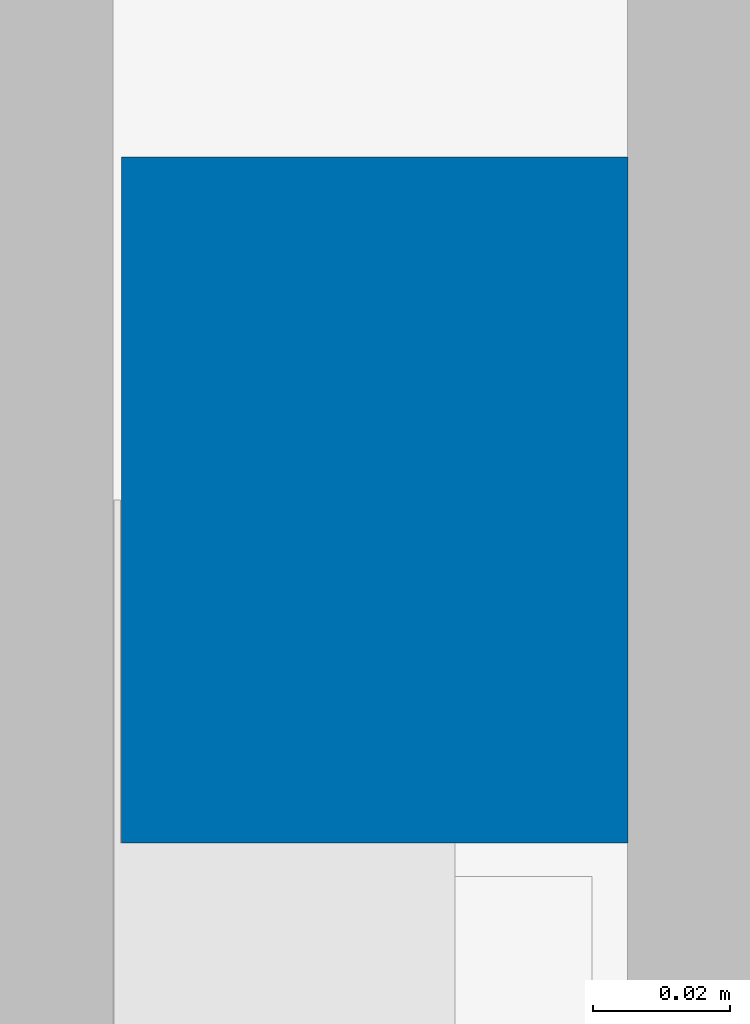
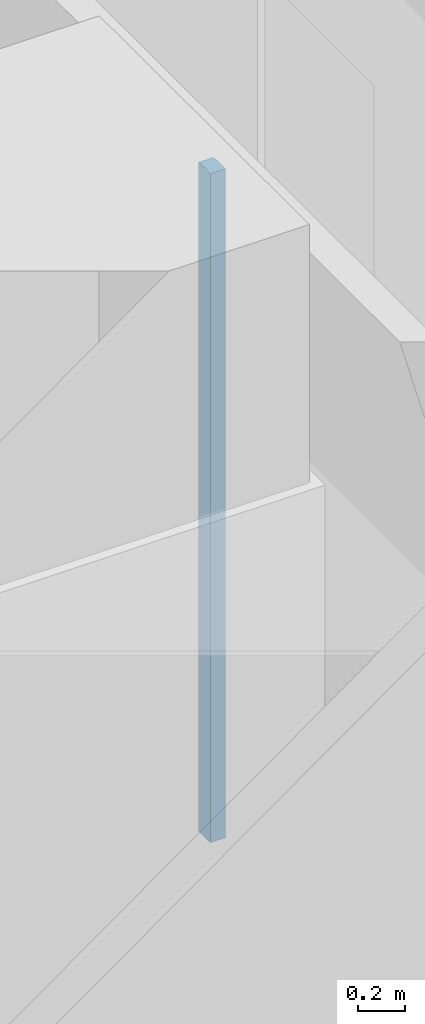
# One storey, part 5 of 18: 1 wall.
"""IFC4 building model written with IfcOpenShell, lengths in metres."""

from ifc_helpers import new_model, si_unit, direction, frame, frame_2d, origin, place, context, subcontext, project, spatial, rectangle, extrude, material, layer, layer_set, type_object, element, save


model = new_model("IFC4")

# Units and contexts
model_context = context("Model", 3, precision=1e-05, world=origin(), true_north=direction((0.0, 1.0)))
body_context = subcontext(model_context, "Body", "Model", "MODEL_VIEW")
ifc_project = project(units=[si_unit("LENGTHUNIT", "METRE"), si_unit("AREAUNIT", "SQUARE_METRE"), si_unit("VOLUMEUNIT", "CUBIC_METRE"), si_unit("PLANEANGLEUNIT", "RADIAN"), si_unit("MASSUNIT", "GRAM", prefix="KILO")], contexts=[model_context])

# Site, building, storey
site_placement = place(None, origin())
site = spatial("IfcSite", under=ifc_project, at=site_placement, CompositionType="ELEMENT")
building_placement = place(site_placement, origin())
building = spatial("IfcBuilding", under=site, at=building_placement, Name="Sheger Commons Tower", CompositionType="ELEMENT")
storey_placement = place(building_placement, frame((0.0, 0.0, 38.75)))
storey = spatial("IfcBuildingStorey", under=building, at=storey_placement, Name="L09", CompositionType="ELEMENT", Elevation=38.75)

# Wall
ifc_material = material(Name="Gypsum board on steel studs", Category="steel")
ifc_layer = layer(ifc_material, 0.10009765625)
ifc_layer_set = layer_set([ifc_layer], Name="PARTITION 100")
wall_type = type_object("IfcWallType", Name="PARTITION 100", PredefinedType="PARTITIONING", material=ifc_layer_set)
wall_placement = place(storey_placement, frame((8.10107421875, 15.0, 0.0), z_axis=(0.0, 0.0, 1.0), x_axis=(1.0, 0.0, 0.0)))
element("IfcWall", 1, at=wall_placement, inside=storey, type_object=wall_type, Name="Partition L09", PredefinedType="PARTITIONING", context=body_context, shape_type="SweptSolid", body=[
    extrude(rectangle(XDim=0.073974609375, YDim=0.10009765625, at=frame_2d((0.037109375, 0.0))), origin(), (0.0, 0.0, 1.0), 3.5),
])

save(model, "model.ifc")
